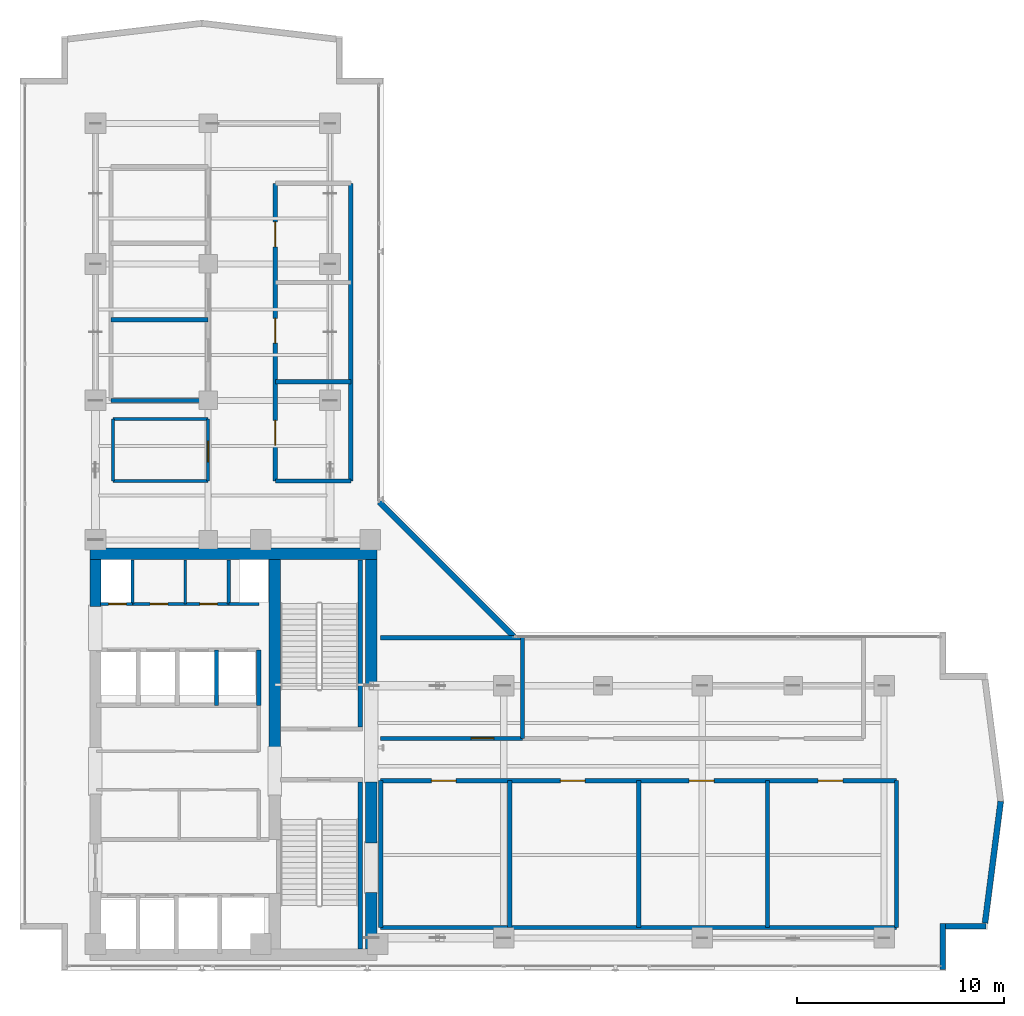
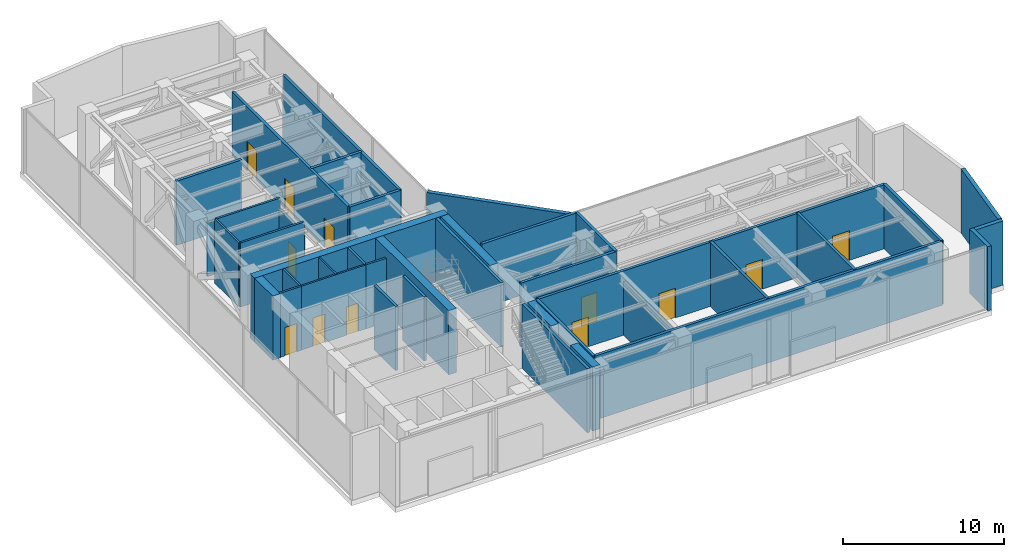
# One storey, part 27 of 31: 40 walls, 12 doors, 12 openings.
"""IFC4 building model written with IfcOpenShell, lengths in metres."""

from ifc_helpers import new_model, si_unit, direction, frame, frame_2d, origin, place, context, subcontext, project, spatial, rectangle, extrude, material, layer, layer_set, type_object, element, fill, save


model = new_model("IFC4")

# Units and contexts
model_context = context("Model", 3, precision=1e-05, world=origin(), true_north=direction((0.0, 1.0)))
body_context = subcontext(model_context, "Body", "Model", "MODEL_VIEW")
ifc_project = project(units=[si_unit("LENGTHUNIT", "METRE"), si_unit("AREAUNIT", "SQUARE_METRE"), si_unit("VOLUMEUNIT", "CUBIC_METRE"), si_unit("PLANEANGLEUNIT", "RADIAN"), si_unit("MASSUNIT", "GRAM", prefix="KILO")], contexts=[model_context])

# Site, building, storey
site_placement = place(None, origin())
site = spatial("IfcSite", under=ifc_project, at=site_placement, CompositionType="ELEMENT")
building_placement = place(site_placement, origin())
building = spatial("IfcBuilding", under=site, at=building_placement, Name="Kolvaren Waterfront Exchange", CompositionType="ELEMENT")
storey_placement = place(building_placement, frame((0.0, 0.0, 257.699951171875)))
storey = spatial("IfcBuildingStorey", under=building, at=storey_placement, Name="L66", CompositionType="ELEMENT", Elevation=257.699951171875)

# Walls
ifc_material_1 = material(Name="Precast concrete C40/50", Category="concrete")
ifc_layer_1 = layer(ifc_material_1, 0.280029296875, Name="Precast concrete C40/50")
ifc_layer_set_1 = layer_set([ifc_layer_1], Name="Precast concrete C40/50")
wall_type_1 = type_object("IfcWallType", Name="ARC-EXT-TERR-280", PredefinedType="SOLIDWALL", material=ifc_layer_set_1)
wall_1_placement = place(storey_placement, frame((48.43994140625, 3.659912109375, 0.0), z_axis=(0.0, 0.0, 1.0), x_axis=(0.0, 1.0, 0.0)))
element("IfcWall", 1, at=wall_1_placement, inside=storey, type_object=wall_type_1, Name="L66 notched corner spandrel pier SE-A", PredefinedType="SOLIDWALL", context=body_context, shape_type="SweptSolid", body=[
    extrude(rectangle(XDim=2.239990234375, YDim=0.280029296875, at=frame_2d((1.1201171875, 0.0))), origin(), (0.0, 0.0, 1.0), 4.860107421875),
])
wall_2_placement = place(storey_placement, frame((48.580078125, 5.760009765625, 0.0), z_axis=(0.0, 0.0, 1.0), x_axis=(1.0, 0.0, 0.0)))
element("IfcWall", 2, at=wall_2_placement, inside=storey, type_object=wall_type_1, Name="L66 notched corner spandrel pier SE-B", PredefinedType="SOLIDWALL", context=body_context, shape_type="SweptSolid", body=[
    extrude(rectangle(XDim=1.9599609375, YDim=0.280029296875, at=frame_2d((0.97998046875, 0.0))), origin(), (0.0, 0.0, 1.0), 4.860107421875),
])
wall_3_placement = place(storey_placement, frame((27.68505859375, 19.77490234375, 0.0), z_axis=(0.0, 0.0, 1.0), x_axis=(-0.707106781187, 0.707106781187, 0.0)))
element("IfcWall", 3, at=wall_3_placement, inside=storey, type_object=wall_type_1, Name="L66 notched corner spandrel pier ELBOW", PredefinedType="SOLIDWALL", context=body_context, shape_type="SweptSolid", body=[
    extrude(rectangle(XDim=9.20654296875, YDim=0.280029296875, at=frame_2d((4.603271484375, 0.0))), origin(), (0.0, 0.0, 1.0), 4.860107421875),
])
wall_4_placement = place(storey_placement, frame((50.479736328125, 5.91796875, 0.0), z_axis=(0.0, 0.0, 1.0), x_axis=(0.127970031595, 0.991778035154, 0.0)))
element("IfcWall", 4, at=wall_4_placement, inside=storey, type_object=wall_type_1, Name="L66 east prow faceted facade wall 1", PredefinedType="SOLIDWALL", context=body_context, shape_type="SweptSolid", body=[
    extrude(rectangle(XDim=5.931396484375, YDim=0.280029296875, at=frame_2d((2.9658203125, 0.0))), origin(), (0.0, 0.0, 1.0), 4.860107421875),
])
ifc_layer_2 = layer(ifc_material_1, 0.199951171875, Name="Precast concrete C40/50")
ifc_layer_set_2 = layer_set([ifc_layer_2], Name="Precast concrete C40/50")
wall_type_2 = type_object("IfcWallType", Name="ARC-FIRE-200", PredefinedType="PARTITIONING", material=ifc_layer_set_2)
wall_5_placement = place(storey_placement, frame((28.10009765625, 14.85009765625, 0.0), z_axis=(0.0, 0.0, 1.0), x_axis=(0.0, 1.0, 0.0)))
element("IfcWall", 5, at=wall_5_placement, inside=storey, type_object=wall_type_2, Name="L66 interior wall PW-L66-REF-W", PredefinedType="PARTITIONING", context=body_context, shape_type="SweptSolid", body=[
    extrude(rectangle(XDim=4.869873046875, YDim=0.199951171875, at=frame_2d((2.43505859375, 0.0))), origin(), (0.0, 0.0, 1.0), 4.860107421875),
])

# Wall, opening, door
wall_6_placement = place(storey_placement, frame((21.25, 14.85009765625, 0.0), z_axis=(0.0, 0.0, 1.0), x_axis=(1.0, 0.0, 0.0)))
wall_6 = element("IfcWall", 6, at=wall_6_placement, inside=storey, type_object=wall_type_2, Name="L66 interior wall PW-L66-OAPL-S", PredefinedType="PARTITIONING", context=body_context, shape_type="SweptSolid", body=[
    extrude(rectangle(XDim=6.85009765625, YDim=0.199951171875, at=frame_2d((3.425048828125, 0.0))), origin(), (0.0, 0.0, 1.0), 4.860107421875),
])
opening_1_placement = place(wall_6_placement, frame((4.372314453125, 0.0, 0.0)))
opening_1 = element("IfcOpeningElement", 7, at=opening_1_placement, cuts=wall_6, Name="Opening FD2", PredefinedType="OPENING", context=body_context, shape_type="SweptSolid", body=[
    extrude(rectangle(XDim=1.10009765625, YDim=2.199951171875, at=frame_2d((0.550048828125, 1.10009765625))), frame((0.0, 0.10986328125, 0.0), z_axis=(0.0, -1.0, 0.0), x_axis=(1.0, 0.0, 0.0)), (0.0, 0.0, 1.0), 0.219970703125),
])
ifc_material_2 = material(Name="Pressed steel smoke-seal fire door", Category="steel")
door_type_1 = type_object("IfcDoorType", Name="ARC-FD-1100", OperationType="NOTDEFINED", PredefinedType="DOOR", material=ifc_material_2)
door_1_placement = place(opening_1_placement, origin())
door_1 = element("IfcDoor", 8, at=door_1_placement, inside=storey, type_object=door_type_1, Name="L66 door DR-L66-OAPL1-D (FD2)", OperationType="SINGLE_SWING_LEFT", OverallHeight=2.199951171875, OverallWidth=1.10009765625, PredefinedType="DOOR", context=body_context, shape_type="SweptSolid", body=[
    extrude(rectangle(XDim=1.10009765625, YDim=2.199951171875, at=frame_2d((0.550048828125, 1.10009765625))), frame((0.0, 0.02490234375, 0.0), z_axis=(0.0, -1.0, 0.0), x_axis=(1.0, 0.0, 0.0)), (0.0, 0.0, 1.0), 0.050048828125),
])
fill(opening_1, door_1)

# Wall
wall_7_placement = place(storey_placement, frame((21.25, 19.719970703125, 0.0), z_axis=(0.0, 0.0, 1.0), x_axis=(1.0, 0.0, 0.0)))
element("IfcWall", 9, at=wall_7_placement, inside=storey, type_object=wall_type_2, Name="L66 interior wall PW-L66-OAPL-N", PredefinedType="PARTITIONING", context=body_context, shape_type="SweptSolid", body=[
    extrude(rectangle(XDim=6.85009765625, YDim=0.199951171875, at=frame_2d((3.425048828125, 0.0))), origin(), (0.0, 0.0, 1.0), 4.860107421875),
])

# Wall, openings, doors
wall_8_placement = place(storey_placement, frame((21.25, 12.800048828125, 0.0), z_axis=(0.0, 0.0, 1.0), x_axis=(1.0, 0.0, 0.0)))
wall_8 = element("IfcWall", 10, at=wall_8_placement, inside=storey, type_object=wall_type_2, Name="L66 interior wall PW-L66-PL-N1", PredefinedType="PARTITIONING", context=body_context, shape_type="SweptSolid", body=[
    extrude(rectangle(XDim=24.949951171875, YDim=0.199951171875, at=frame_2d((12.47509765625, 0.0))), origin(), (0.0, 0.0, 1.0), 4.860107421875),
])
opening_2_placement = place(wall_8_placement, frame((2.448486328125, 0.0, 0.0)))
opening_2 = element("IfcOpeningElement", 11, at=opening_2_placement, cuts=wall_8, Name="Opening FD3", PredefinedType="OPENING", context=body_context, shape_type="SweptSolid", body=[
    extrude(rectangle(XDim=1.199951171875, YDim=2.25, at=frame_2d((0.60009765625, 1.125))), frame((0.0, 0.10986328125, 0.0), z_axis=(0.0, -1.0, 0.0), x_axis=(1.0, 0.0, 0.0)), (0.0, 0.0, 1.0), 0.219970703125),
])
opening_3_placement = place(wall_8_placement, frame((8.688720703125, 0.0, 0.0)))
opening_3 = element("IfcOpeningElement", 12, at=opening_3_placement, cuts=wall_8, Name="Opening FD3", PredefinedType="OPENING", context=body_context, shape_type="SweptSolid", body=[
    extrude(rectangle(XDim=1.199951171875, YDim=2.25, at=frame_2d((0.60009765625, 1.125))), frame((0.0, 0.10986328125, 0.0), z_axis=(0.0, -1.0, 0.0), x_axis=(1.0, 0.0, 0.0)), (0.0, 0.0, 1.0), 0.219970703125),
])
opening_4_placement = place(wall_8_placement, frame((14.923828125, 0.0, 0.0)))
opening_4 = element("IfcOpeningElement", 13, at=opening_4_placement, cuts=wall_8, Name="Opening FD3", PredefinedType="OPENING", context=body_context, shape_type="SweptSolid", body=[
    extrude(rectangle(XDim=1.199951171875, YDim=2.25, at=frame_2d((0.60009765625, 1.125))), frame((0.0, 0.10986328125, 0.0), z_axis=(0.0, -1.0, 0.0), x_axis=(1.0, 0.0, 0.0)), (0.0, 0.0, 1.0), 0.219970703125),
])
opening_5_placement = place(wall_8_placement, frame((21.15869140625, 0.0, 0.0)))
opening_5 = element("IfcOpeningElement", 14, at=opening_5_placement, cuts=wall_8, Name="Opening FD3", PredefinedType="OPENING", context=body_context, shape_type="SweptSolid", body=[
    extrude(rectangle(XDim=1.199951171875, YDim=2.25, at=frame_2d((0.60009765625, 1.125))), frame((0.0, 0.10986328125, 0.0), z_axis=(0.0, -1.0, 0.0), x_axis=(1.0, 0.0, 0.0)), (0.0, 0.0, 1.0), 0.219970703125),
])
ifc_material_3 = material(Name="Pressed steel fire door", Category="steel")
door_type_2 = type_object("IfcDoorType", Name="ARC-FD-1200", OperationType="NOTDEFINED", PredefinedType="DOOR", material=ifc_material_3)
door_2_placement = place(opening_2_placement, origin())
door_2 = element("IfcDoor", 15, at=door_2_placement, inside=storey, type_object=door_type_2, Name="L66 door DR-L66-PLES-D1 (FD3)", OperationType="SINGLE_SWING_LEFT", OverallHeight=2.25, OverallWidth=1.199951171875, PredefinedType="DOOR", context=body_context, shape_type="SweptSolid", body=[
    extrude(rectangle(XDim=1.199951171875, YDim=2.25, at=frame_2d((0.60009765625, 1.125))), frame((0.0, 0.02490234375, 0.0), z_axis=(0.0, -1.0, 0.0), x_axis=(1.0, 0.0, 0.0)), (0.0, 0.0, 1.0), 0.050048828125),
])
fill(opening_2, door_2)
door_3_placement = place(opening_3_placement, origin())
door_3 = element("IfcDoor", 16, at=door_3_placement, inside=storey, type_object=door_type_2, Name="L66 door DR-L66-PLES-D2 (FD3)", OperationType="SINGLE_SWING_RIGHT", OverallHeight=2.25, OverallWidth=1.199951171875, PredefinedType="DOOR", context=body_context, shape_type="SweptSolid", body=[
    extrude(rectangle(XDim=1.199951171875, YDim=2.25, at=frame_2d((0.60009765625, 1.125))), frame((0.0, 0.02490234375, 0.0), z_axis=(0.0, -1.0, 0.0), x_axis=(1.0, 0.0, 0.0)), (0.0, 0.0, 1.0), 0.050048828125),
])
fill(opening_3, door_3)
door_4_placement = place(opening_4_placement, origin())
door_4 = element("IfcDoor", 17, at=door_4_placement, inside=storey, type_object=door_type_2, Name="L66 door DR-L66-PLES-D3 (FD3)", OperationType="SINGLE_SWING_LEFT", OverallHeight=2.25, OverallWidth=1.199951171875, PredefinedType="DOOR", context=body_context, shape_type="SweptSolid", body=[
    extrude(rectangle(XDim=1.199951171875, YDim=2.25, at=frame_2d((0.60009765625, 1.125))), frame((0.0, 0.02490234375, 0.0), z_axis=(0.0, -1.0, 0.0), x_axis=(1.0, 0.0, 0.0)), (0.0, 0.0, 1.0), 0.050048828125),
])
fill(opening_4, door_4)
door_5_placement = place(opening_5_placement, origin())
door_5 = element("IfcDoor", 18, at=door_5_placement, inside=storey, type_object=door_type_2, Name="L66 door DR-L66-PLES-D4 (FD3)", OperationType="SINGLE_SWING_RIGHT", OverallHeight=2.25, OverallWidth=1.199951171875, PredefinedType="DOOR", context=body_context, shape_type="SweptSolid", body=[
    extrude(rectangle(XDim=1.199951171875, YDim=2.25, at=frame_2d((0.60009765625, 1.125))), frame((0.0, 0.02490234375, 0.0), z_axis=(0.0, -1.0, 0.0), x_axis=(1.0, 0.0, 0.0)), (0.0, 0.0, 1.0), 0.050048828125),
])
fill(opening_5, door_5)

# Walls
for number, where, z_axis, x_axis, name in (
    (19, (21.25, 5.699951171875, 0.0), (0.0, 0.0, 1.0), (0.0, 1.0, 0.0), "L66 interior wall PW-L66-PL-W1"),
    (20, (46.199951171875, 5.699951171875, 0.0), (0.0, 0.0, 1.0), (0.0, 1.0, 0.0), "L66 interior wall PW-L66-PL-E1"),
):
    element("IfcWall", number, at=place(storey_placement, frame(where, z_axis=z_axis, x_axis=x_axis)), inside=storey, type_object=wall_type_2, Name=name, PredefinedType="PARTITIONING", context=body_context, shape_type="SweptSolid", body=[
        extrude(rectangle(XDim=7.10009765625, YDim=0.199951171875, at=frame_2d((3.550048828125, 0.0))), origin(), (0.0, 0.0, 1.0), 4.860107421875),
    ])
wall_9_placement = place(storey_placement, frame((21.25, 5.699951171875, 0.0), z_axis=(0.0, 0.0, 1.0), x_axis=(1.0, 0.0, 0.0)))
element("IfcWall", 21, at=wall_9_placement, inside=storey, type_object=wall_type_2, Name="L66 interior wall PW-L66-PL-S1", PredefinedType="PARTITIONING", context=body_context, shape_type="SweptSolid", body=[
    extrude(rectangle(XDim=24.949951171875, YDim=0.199951171875, at=frame_2d((12.47509765625, 0.0))), origin(), (0.0, 0.0, 1.0), 4.860107421875),
])
wall_10_placement = place(storey_placement, frame((27.489990234375, 5.699951171875, 0.0), z_axis=(0.0, 0.0, 1.0), x_axis=(0.0, 1.0, 0.0)))
element("IfcWall", 22, at=wall_10_placement, inside=storey, type_object=wall_type_2, Name="L66 interior wall PW-L66-PL-M1-1", PredefinedType="PARTITIONING", context=body_context, shape_type="SweptSolid", body=[
    extrude(rectangle(XDim=7.10009765625, YDim=0.199951171875, at=frame_2d((3.550048828125, 0.0))), origin(), (0.0, 0.0, 1.0), 4.06005859375),
])
for number, where, z_axis, x_axis, name in (
    (23, (33.72998046875, 5.699951171875, 0.0), (0.0, 0.0, 1.0), (0.0, 1.0, 0.0), "L66 interior wall PW-L66-PL-M1-2"),
    (24, (39.9599609375, 5.699951171875, 0.0), (0.0, 0.0, 1.0), (0.0, 1.0, 0.0), "L66 interior wall PW-L66-PL-M1-3"),
):
    element("IfcWall", number, at=place(storey_placement, frame(where, z_axis=z_axis, x_axis=x_axis)), inside=storey, type_object=wall_type_2, Name=name, PredefinedType="PARTITIONING", context=body_context, shape_type="SweptSolid", body=[
        extrude(rectangle(XDim=7.10009765625, YDim=0.199951171875, at=frame_2d((3.550048828125, 0.0))), origin(), (0.0, 0.0, 1.0), 4.860107421875),
    ])
wall_11_placement = place(storey_placement, frame((8.199951171875, 31.199951171875, 0.0), z_axis=(0.0, 0.0, 1.0), x_axis=(1.0, 0.0, 0.0)))
element("IfcWall", 25, at=wall_11_placement, inside=storey, type_object=wall_type_2, Name="L66 interior wall PW-L66-PL-S3", PredefinedType="PARTITIONING", context=body_context, shape_type="SweptSolid", body=[
    extrude(rectangle(XDim=4.699951171875, YDim=0.199951171875, at=frame_2d((2.35009765625, 0.0))), origin(), (0.0, 0.0, 1.0), 4.06005859375),
])
wall_12_placement = place(storey_placement, frame((8.199951171875, 35.10009765625, 0.0), z_axis=(0.0, 0.0, 1.0), x_axis=(1.0, 0.0, 0.0)))
element("IfcWall", 26, at=wall_12_placement, inside=storey, type_object=wall_type_2, Name="L66 interior wall PW-L66-PL-M3-1", PredefinedType="PARTITIONING", context=body_context, shape_type="SweptSolid", body=[
    extrude(rectangle(XDim=4.699951171875, YDim=0.199951171875, at=frame_2d((2.35009765625, 0.0))), origin(), (0.0, 0.0, 1.0), 4.860107421875),
])

# Wall, openings, doors
wall_13_placement = place(storey_placement, frame((16.14990234375, 27.300048828125, 0.0), z_axis=(0.0, 0.0, 1.0), x_axis=(0.0, 1.0, 0.0)))
wall_13 = element("IfcWall", 27, at=wall_13_placement, inside=storey, type_object=wall_type_2, Name="L66 interior wall PW-L66-PL-W4", PredefinedType="PARTITIONING", context=body_context, shape_type="SweptSolid", body=[
    extrude(rectangle(XDim=14.39990234375, YDim=0.199951171875, at=frame_2d((7.199951171875, 0.0))), origin(), (0.0, 0.0, 1.0), 4.860107421875),
])
opening_6_placement = place(wall_13_placement, frame((1.72900390625, 0.0, 0.0)))
opening_6 = element("IfcOpeningElement", 28, at=opening_6_placement, cuts=wall_13, Name="Opening FD3", PredefinedType="OPENING", context=body_context, shape_type="SweptSolid", body=[
    extrude(rectangle(XDim=1.199951171875, YDim=2.25, at=frame_2d((0.60009765625, 1.125))), frame((0.0, 0.10986328125, 0.0), z_axis=(0.0, -1.0, 0.0), x_axis=(1.0, 0.0, 0.0)), (0.0, 0.0, 1.0), 0.219970703125),
])
opening_7_placement = place(wall_13_placement, frame((6.671142578125, 0.0, 0.0)))
opening_7 = element("IfcOpeningElement", 29, at=opening_7_placement, cuts=wall_13, Name="Opening FD3", PredefinedType="OPENING", context=body_context, shape_type="SweptSolid", body=[
    extrude(rectangle(XDim=1.199951171875, YDim=2.25, at=frame_2d((0.60009765625, 1.125))), frame((0.0, 0.10986328125, 0.0), z_axis=(0.0, -1.0, 0.0), x_axis=(1.0, 0.0, 0.0)), (0.0, 0.0, 1.0), 0.219970703125),
])
opening_8_placement = place(wall_13_placement, frame((11.328857421875, 0.0, 0.0)))
opening_8 = element("IfcOpeningElement", 30, at=opening_8_placement, cuts=wall_13, Name="Opening FD3", PredefinedType="OPENING", context=body_context, shape_type="SweptSolid", body=[
    extrude(rectangle(XDim=1.199951171875, YDim=2.25, at=frame_2d((0.60009765625, 1.125))), frame((0.0, 0.10986328125, 0.0), z_axis=(0.0, -1.0, 0.0), x_axis=(1.0, 0.0, 0.0)), (0.0, 0.0, 1.0), 0.219970703125),
])
door_6_placement = place(opening_6_placement, origin())
door_6 = element("IfcDoor", 31, at=door_6_placement, inside=storey, type_object=door_type_2, Name="L66 door DR-L66-PLNER-D1 (FD3)", OperationType="SINGLE_SWING_RIGHT", OverallHeight=2.25, OverallWidth=1.199951171875, PredefinedType="DOOR", context=body_context, shape_type="SweptSolid", body=[
    extrude(rectangle(XDim=1.199951171875, YDim=2.25, at=frame_2d((0.60009765625, 1.125))), frame((0.0, 0.02490234375, 0.0), z_axis=(0.0, -1.0, 0.0), x_axis=(1.0, 0.0, 0.0)), (0.0, 0.0, 1.0), 0.050048828125),
])
fill(opening_6, door_6)
door_7_placement = place(opening_7_placement, origin())
door_7 = element("IfcDoor", 32, at=door_7_placement, inside=storey, type_object=door_type_2, Name="L66 door DR-L66-PLNER-D2 (FD3)", OperationType="SINGLE_SWING_LEFT", OverallHeight=2.25, OverallWidth=1.199951171875, PredefinedType="DOOR", context=body_context, shape_type="SweptSolid", body=[
    extrude(rectangle(XDim=1.199951171875, YDim=2.25, at=frame_2d((0.60009765625, 1.125))), frame((0.0, 0.02490234375, 0.0), z_axis=(0.0, -1.0, 0.0), x_axis=(1.0, 0.0, 0.0)), (0.0, 0.0, 1.0), 0.050048828125),
])
fill(opening_7, door_7)
door_8_placement = place(opening_8_placement, origin())
door_8 = element("IfcDoor", 33, at=door_8_placement, inside=storey, type_object=door_type_2, Name="L66 door DR-L66-PLNER-D3 (FD3)", OperationType="SINGLE_SWING_RIGHT", OverallHeight=2.25, OverallWidth=1.199951171875, PredefinedType="DOOR", context=body_context, shape_type="SweptSolid", body=[
    extrude(rectangle(XDim=1.199951171875, YDim=2.25, at=frame_2d((0.60009765625, 1.125))), frame((0.0, 0.02490234375, 0.0), z_axis=(0.0, -1.0, 0.0), x_axis=(1.0, 0.0, 0.0)), (0.0, 0.0, 1.0), 0.050048828125),
])
fill(opening_8, door_8)

# Walls
wall_14_placement = place(storey_placement, frame((19.800048828125, 27.300048828125, 0.0), z_axis=(0.0, 0.0, 1.0), x_axis=(0.0, 1.0, 0.0)))
element("IfcWall", 34, at=wall_14_placement, inside=storey, type_object=wall_type_2, Name="L66 interior wall PW-L66-PL-E4", PredefinedType="PARTITIONING", context=body_context, shape_type="SweptSolid", body=[
    extrude(rectangle(XDim=14.39990234375, YDim=0.199951171875, at=frame_2d((7.199951171875, 0.0))), origin(), (0.0, 0.0, 1.0), 4.860107421875),
])
for number, where, z_axis, x_axis, name in (
    (35, (16.14990234375, 27.300048828125, 0.0), (0.0, 0.0, 1.0), (1.0, 0.0, 0.0), "L66 interior wall PW-L66-PL-S4"),
    (36, (16.14990234375, 32.10009765625, 0.0), (0.0, 0.0, 1.0), (1.0, 0.0, 0.0), "L66 interior wall PW-L66-PL-M4-1"),
):
    element("IfcWall", number, at=place(storey_placement, frame(where, z_axis=z_axis, x_axis=x_axis)), inside=storey, type_object=wall_type_2, Name=name, PredefinedType="PARTITIONING", context=body_context, shape_type="SweptSolid", body=[
        extrude(rectangle(XDim=3.650146484375, YDim=0.199951171875, at=frame_2d((1.8251953125, 0.0))), origin(), (0.0, 0.0, 1.0), 4.860107421875),
    ])

# Wall, openings, doors
ifc_material_4 = material(Name="Acoustic gypsum steel stud", Category="steel")
ifc_layer_3 = layer(ifc_material_4, 0.125, Name="Acoustic gypsum steel stud")
ifc_layer_set_3 = layer_set([ifc_layer_3], Name="Acoustic gypsum steel stud")
wall_type_3 = type_object("IfcWallType", Name="ARC-PART-125", PredefinedType="PARTITIONING", material=ifc_layer_set_3)
wall_15_placement = place(storey_placement, frame((9.25, 21.35009765625, 0.0), z_axis=(0.0, 0.0, 1.0), x_axis=(1.0, 0.0, 0.0)))
wall_15 = element("IfcWall", 37, at=wall_15_placement, inside=storey, type_object=wall_type_3, Name="L66 interior wall PW-L66-SVC-HI-S", PredefinedType="PARTITIONING", context=body_context, shape_type="SweptSolid", body=[
    extrude(rectangle(XDim=4.64990234375, YDim=0.125, at=frame_2d((2.324951171875, 0.0))), origin(), (0.0, 0.0, 1.0), 4.860107421875),
])
opening_9_placement = place(wall_15_placement, frame((0.85009765625, 0.0, 0.0)))
opening_9 = element("IfcOpeningElement", 38, at=opening_9_placement, cuts=wall_15, Name="Opening D01", PredefinedType="OPENING", context=body_context, shape_type="SweptSolid", body=[
    extrude(rectangle(XDim=0.85009765625, YDim=2.14990234375, at=frame_2d((0.425048828125, 1.074951171875))), frame((0.0, 0.072509765625, 0.0), z_axis=(0.0, -1.0, 0.0), x_axis=(1.0, 0.0, 0.0)), (0.0, 0.0, 1.0), 0.14501953125),
])
opening_10_placement = place(wall_15_placement, frame((3.25, 0.0, 0.0)))
opening_10 = element("IfcOpeningElement", 39, at=opening_10_placement, cuts=wall_15, Name="Opening D01", PredefinedType="OPENING", context=body_context, shape_type="SweptSolid", body=[
    extrude(rectangle(XDim=0.85009765625, YDim=2.14990234375, at=frame_2d((0.425048828125, 1.074951171875))), frame((0.0, 0.072509765625, 0.0), z_axis=(0.0, -1.0, 0.0), x_axis=(1.0, 0.0, 0.0)), (0.0, 0.0, 1.0), 0.14501953125),
])
ifc_material_5 = material(Name="Oak veneer timber leaf", Category="wood")
door_type_3 = type_object("IfcDoorType", Name="ARC-DR-900", OperationType="NOTDEFINED", PredefinedType="DOOR", material=ifc_material_5)
door_9_placement = place(opening_9_placement, origin())
door_9 = element("IfcDoor", 40, at=door_9_placement, inside=storey, type_object=door_type_3, Name="L66 door DR-L66-SVC-DR-1 (D01)", OperationType="SINGLE_SWING_LEFT", OverallHeight=2.14990234375, OverallWidth=0.85009765625, PredefinedType="DOOR", context=body_context, shape_type="SweptSolid", body=[
    extrude(rectangle(XDim=0.85009765625, YDim=2.14990234375, at=frame_2d((0.425048828125, 1.074951171875))), frame((0.0, 0.02490234375, 0.0), z_axis=(0.0, -1.0, 0.0), x_axis=(1.0, 0.0, 0.0)), (0.0, 0.0, 1.0), 0.050048828125),
])
fill(opening_9, door_9)
door_10_placement = place(opening_10_placement, origin())
door_10 = element("IfcDoor", 41, at=door_10_placement, inside=storey, type_object=door_type_3, Name="L66 door DR-L66-SVC-DR-2 (D01)", OperationType="SINGLE_SWING_RIGHT", OverallHeight=2.14990234375, OverallWidth=0.85009765625, PredefinedType="DOOR", context=body_context, shape_type="SweptSolid", body=[
    extrude(rectangle(XDim=0.85009765625, YDim=2.14990234375, at=frame_2d((0.425048828125, 1.074951171875))), frame((0.0, 0.02490234375, 0.0), z_axis=(0.0, -1.0, 0.0), x_axis=(1.0, 0.0, 0.0)), (0.0, 0.0, 1.0), 0.050048828125),
])
fill(opening_10, door_10)

# Walls
wall_16_placement = place(storey_placement, frame((11.800048828125, 21.35009765625, 0.0), z_axis=(0.0, 0.0, 1.0), x_axis=(0.0, 1.0, 0.0)))
element("IfcWall", 42, at=wall_16_placement, inside=storey, type_object=wall_type_3, Name="L66 interior wall PW-L66-SVC-HI-M", PredefinedType="PARTITIONING", context=body_context, shape_type="SweptSolid", body=[
    extrude(rectangle(XDim=2.1298828125, YDim=0.125, at=frame_2d((1.06494140625, 0.0))), origin(), (0.0, 0.0, 1.0), 4.860107421875),
])
ifc_material_6 = material(Name="Gypsum fireboard steel stud", Category="steel")
ifc_layer_4 = layer(ifc_material_6, 0.14990234375, Name="Gypsum fireboard steel stud")
ifc_layer_set_4 = layer_set([ifc_layer_4], Name="Gypsum fireboard steel stud")
wall_type_4 = type_object("IfcWallType", Name="ARC-PART-150", PredefinedType="PARTITIONING", material=ifc_layer_set_4)
for number, where, z_axis, x_axis, name in (
    (43, (9.25, 21.35009765625, 0.0), (0.0, 0.0, 1.0), (0.0, 1.0, 0.0), "L66 interior wall PW-L66-SVC-R1"),
    (44, (13.89990234375, 21.35009765625, 0.0), (0.0, 0.0, 1.0), (0.0, 1.0, 0.0), "L66 interior wall PW-L66-SVC-R2"),
):
    element("IfcWall", number, at=place(storey_placement, frame(where, z_axis=z_axis, x_axis=x_axis)), inside=storey, type_object=wall_type_4, Name=name, PredefinedType="PARTITIONING", context=body_context, shape_type="SweptSolid", body=[
        extrude(rectangle(XDim=2.1298828125, YDim=0.14990234375, at=frame_2d((1.06494140625, 0.0))), origin(), (0.0, 0.0, 1.0), 4.860107421875),
    ])

# Wall, opening, door
wall_17_placement = place(storey_placement, frame((7.699951171875, 21.35009765625, 0.0), z_axis=(0.0, 0.0, 1.0), x_axis=(1.0, 0.0, 0.0)))
wall_17 = element("IfcWall", 45, at=wall_17_placement, inside=storey, type_object=wall_type_4, Name="L66 interior wall PW-L66-SVC-RE-S", PredefinedType="PARTITIONING", context=body_context, shape_type="SweptSolid", body=[
    extrude(rectangle(XDim=1.550048828125, YDim=0.14990234375, at=frame_2d((0.77490234375, 0.0))), origin(), (0.0, 0.0, 1.0), 4.860107421875),
])
opening_11_placement = place(wall_17_placement, frame((0.389892578125, 0.0, 0.0)))
opening_11 = element("IfcOpeningElement", 46, at=opening_11_placement, cuts=wall_17, Name="Opening FD1", PredefinedType="OPENING", context=body_context, shape_type="SweptSolid", body=[
    extrude(rectangle(XDim=0.85009765625, YDim=2.14990234375, at=frame_2d((0.425048828125, 1.074951171875))), frame((0.0, 0.0849609375, 0.0), z_axis=(0.0, -1.0, 0.0), x_axis=(1.0, 0.0, 0.0)), (0.0, 0.0, 1.0), 0.169921875),
])
ifc_material_7 = material(Name="Pressed steel fire leaf", Category="steel")
door_type_4 = type_object("IfcDoorType", Name="ARC-FD-900", OperationType="NOTDEFINED", PredefinedType="DOOR", material=ifc_material_7)
door_11_placement = place(opening_11_placement, origin())
door_11 = element("IfcDoor", 47, at=door_11_placement, inside=storey, type_object=door_type_4, Name="L66 door DR-L66-RISER-E-DR (FD1)", OperationType="SINGLE_SWING_RIGHT", OverallHeight=2.14990234375, OverallWidth=0.85009765625, PredefinedType="DOOR", context=body_context, shape_type="SweptSolid", body=[
    extrude(rectangle(XDim=0.85009765625, YDim=2.14990234375, at=frame_2d((0.425048828125, 1.074951171875))), frame((0.0, 0.02490234375, 0.0), z_axis=(0.0, -1.0, 0.0), x_axis=(1.0, 0.0, 0.0)), (0.0, 0.0, 1.0), 0.050048828125),
])
fill(opening_11, door_11)

# Walls
wall_18_placement = place(storey_placement, frame((13.89990234375, 21.35009765625, 0.0), z_axis=(0.0, 0.0, 1.0), x_axis=(1.0, 0.0, 0.0)))
element("IfcWall", 48, at=wall_18_placement, inside=storey, type_object=wall_type_4, Name="L66 interior wall PW-L66-SVC-RP-S", PredefinedType="PARTITIONING", context=body_context, shape_type="SweptSolid", body=[
    extrude(rectangle(XDim=1.4501953125, YDim=0.14990234375, at=frame_2d((0.72509765625, 0.0))), origin(), (0.0, 0.0, 1.0), 4.860107421875),
])
ifc_material_8 = material(Name="Moisture-resistant gypsum stud")
ifc_layer_5 = layer(ifc_material_8, 0.14990234375, Name="Moisture-resistant gypsum stud")
ifc_layer_set_5 = layer_set([ifc_layer_5], Name="Moisture-resistant gypsum stud")
wall_type_5 = type_object("IfcWallType", Name="ARC-PLUMB-150", PredefinedType="PLUMBINGWALL", material=ifc_layer_set_5)
wall_19_placement = place(storey_placement, frame((8.300048828125, 27.300048828125, 0.0), z_axis=(0.0, 0.0, 1.0), x_axis=(1.0, 0.0, 0.0)))
element("IfcWall", 49, at=wall_19_placement, inside=storey, type_object=wall_type_5, Name="L66 interior wall PW-L66-REF-WC-S", PredefinedType="PLUMBINGWALL", context=body_context, shape_type="SweptSolid", body=[
    extrude(rectangle(XDim=4.599853515625, YDim=0.14990234375, at=frame_2d((2.2998046875, 0.0))), origin(), (0.0, 0.0, 1.0), 4.860107421875),
])
wall_20_placement = place(storey_placement, frame((8.300048828125, 27.300048828125, 0.0), z_axis=(0.0, 0.0, 1.0), x_axis=(0.0, 1.0, 0.0)))
element("IfcWall", 50, at=wall_20_placement, inside=storey, type_object=wall_type_5, Name="L66 interior wall PW-L66-REF-WC-W", PredefinedType="PLUMBINGWALL", context=body_context, shape_type="SweptSolid", body=[
    extrude(rectangle(XDim=3.0, YDim=0.14990234375, at=frame_2d((1.5, 0.0))), origin(), (0.0, 0.0, 1.0), 4.860107421875),
])

# Wall, opening, door
wall_21_placement = place(storey_placement, frame((12.89990234375, 27.300048828125, 0.0), z_axis=(0.0, 0.0, 1.0), x_axis=(0.0, 1.0, 0.0)))
wall_21 = element("IfcWall", 51, at=wall_21_placement, inside=storey, type_object=wall_type_5, Name="L66 interior wall PW-L66-REF-WC-E", PredefinedType="PLUMBINGWALL", context=body_context, shape_type="SweptSolid", body=[
    extrude(rectangle(XDim=3.0, YDim=0.14990234375, at=frame_2d((1.5, 0.0))), origin(), (0.0, 0.0, 1.0), 4.06005859375),
])
opening_12_placement = place(wall_21_placement, frame((0.929931640625, 0.0, 0.0)))
opening_12 = element("IfcOpeningElement", 52, at=opening_12_placement, cuts=wall_21, Name="Opening D03", PredefinedType="OPENING", context=body_context, shape_type="SweptSolid", body=[
    extrude(rectangle(XDim=1.0, YDim=2.199951171875, at=frame_2d((0.5, 1.10009765625))), frame((0.0, 0.0849609375, 0.0), z_axis=(0.0, -1.0, 0.0), x_axis=(1.0, 0.0, 0.0)), (0.0, 0.0, 1.0), 0.169921875),
])
ifc_material_9 = material(Name="Oak veneer accessible timber", Category="wood")
door_type_5 = type_object("IfcDoorType", Name="ARC-DR-1000", OperationType="NOTDEFINED", PredefinedType="DOOR", material=ifc_material_9)
door_12_placement = place(opening_12_placement, origin())
door_12 = element("IfcDoor", 53, at=door_12_placement, inside=storey, type_object=door_type_5, Name="L66 door DR-L66-REF-WCD (D03)", OperationType="SINGLE_SWING_RIGHT", OverallHeight=2.199951171875, OverallWidth=1.0, PredefinedType="DOOR", context=body_context, shape_type="SweptSolid", body=[
    extrude(rectangle(XDim=1.0, YDim=2.199951171875, at=frame_2d((0.5, 1.10009765625))), frame((0.0, 0.02490234375, 0.0), z_axis=(0.0, -1.0, 0.0), x_axis=(1.0, 0.0, 0.0)), (0.0, 0.0, 1.0), 0.050048828125),
])
fill(opening_12, door_12)

# Walls
wall_22_placement = place(storey_placement, frame((8.300048828125, 30.300048828125, 0.0), z_axis=(0.0, 0.0, 1.0), x_axis=(1.0, 0.0, 0.0)))
element("IfcWall", 54, at=wall_22_placement, inside=storey, type_object=wall_type_5, Name="L66 interior wall PW-L66-REF-WC-N", PredefinedType="PLUMBINGWALL", context=body_context, shape_type="SweptSolid", body=[
    extrude(rectangle(XDim=4.599853515625, YDim=0.14990234375, at=frame_2d((2.2998046875, 0.0))), origin(), (0.0, 0.0, 1.0), 4.860107421875),
])
ifc_material_10 = material(Name="Concrete C40/50", Category="concrete")
ifc_layer_6 = layer(ifc_material_10, 0.199951171875, Name="Concrete C40/50")
ifc_layer_set_6 = layer_set([ifc_layer_6], Name="Concrete C40/50")
wall_type_6 = type_object("IfcWallType", Name="ARC-SHAFT-200", PredefinedType="PARTITIONING", material=ifc_layer_set_6)
for number, where, z_axis, x_axis, name in (
    (55, (20.260009765625, 4.659912109375, 0.0), (0.0, 0.0, 1.0), (0.0, 1.0, 0.0), "L66 structural stairwell wall PW-L66-ST1-E"),
    (56, (20.260009765625, 15.39990234375, 0.0), (0.0, 0.0, 1.0), (0.0, 1.0, 0.0), "L66 structural stairwell wall PW-L66-ST2-E"),
):
    element("IfcWall", number, at=place(storey_placement, frame(where, z_axis=z_axis, x_axis=x_axis)), inside=storey, type_object=wall_type_6, Name=name, PredefinedType="SHEAR", context=body_context, shape_type="SweptSolid", body=[
        extrude(rectangle(XDim=8.090087890625, YDim=0.199951171875, at=frame_2d((4.044921875, 0.0))), origin(), (0.0, 0.0, 1.0), 4.860107421875),
    ])
for number, where, z_axis, x_axis, name in (
    (57, (15.35009765625, 16.449951171875, 0.0), (0.0, 0.0, 1.0), (0.0, 1.0, 0.0), "L66 interior wall PW-L66-PH-E"),
    (58, (13.300048828125, 16.449951171875, 0.0), (0.0, 0.0, 1.0), (0.0, 1.0, 0.0), "L66 interior wall PW-L66-SH4-DIV-133"),
):
    element("IfcWall", number, at=place(storey_placement, frame(where, z_axis=z_axis, x_axis=x_axis)), inside=storey, type_object=wall_type_6, Name=name, PredefinedType="PARTITIONING", context=body_context, shape_type="SweptSolid", body=[
        extrude(rectangle(XDim=2.670166015625, YDim=0.199951171875, at=frame_2d((1.3349609375, 0.0))), origin(), (0.0, 0.0, 1.0), 4.860107421875),
    ])
ifc_material_11 = material(Name="Concrete C50/60", Category="concrete")
ifc_layer_7 = layer(ifc_material_11, 0.550048828125, Name="Concrete C50/60")
ifc_layer_set_7 = layer_set([ifc_layer_7], Name="Concrete C50/60")
wall_type_7 = type_object("IfcWallType", Name="STR-CWALL-550", PredefinedType="SHEAR", material=ifc_layer_set_7)
wall_23_placement = place(storey_placement, frame((7.175048828125, 23.77490234375, 0.0), z_axis=(0.0, 0.0, 1.0), x_axis=(1.0, 0.0, 0.0)))
element("IfcWall", 59, at=wall_23_placement, inside=storey, type_object=wall_type_7, Name="L66 rear-core shear wall N", PredefinedType="SHEAR", context=body_context, shape_type="SweptSolid", body=[
    extrude(rectangle(XDim=13.89990234375, YDim=0.550048828125, at=frame_2d((6.949951171875, 0.0))), origin(), (0.0, 0.0, 1.0), 4.860107421875),
])
wall_24_placement = place(storey_placement, frame((7.449951171875, 21.239990234375, 0.0), z_axis=(0.0, 0.0, 1.0), x_axis=(0.0, 1.0, 0.0)))
element("IfcWall", 60, at=wall_24_placement, inside=storey, type_object=wall_type_7, Name="L66 rear-core shear wall W3", PredefinedType="SHEAR", context=body_context, shape_type="SweptSolid", body=[
    extrude(rectangle(XDim=2.260009765625, YDim=0.550048828125, at=frame_2d((1.1298828125, 0.0))), origin(), (0.0, 0.0, 1.0), 4.860107421875),
])
wall_25_placement = place(storey_placement, frame((20.800048828125, 4.64990234375, 0.0), z_axis=(0.0, 0.0, 1.0), x_axis=(0.0, 1.0, 0.0)))
element("IfcWall", 61, at=wall_25_placement, inside=storey, type_object=wall_type_7, Name="L66 rear-core shear wall E1", PredefinedType="SHEAR", context=body_context, shape_type="SweptSolid", body=[
    extrude(rectangle(XDim=2.75, YDim=0.550048828125, at=frame_2d((1.375, 0.0))), origin(), (0.0, 0.0, 1.0), 4.860107421875),
])
wall_26_placement = place(storey_placement, frame((20.800048828125, 9.800048828125, 0.0), z_axis=(0.0, 0.0, 1.0), x_axis=(0.0, 1.0, 0.0)))
element("IfcWall", 62, at=wall_26_placement, inside=storey, type_object=wall_type_7, Name="L66 rear-core shear wall E2", PredefinedType="SHEAR", context=body_context, shape_type="SweptSolid", body=[
    extrude(rectangle(XDim=2.949951171875, YDim=0.550048828125, at=frame_2d((1.47509765625, 0.0))), origin(), (0.0, 0.0, 1.0), 4.860107421875),
])
wall_27_placement = place(storey_placement, frame((20.800048828125, 17.35009765625, 0.0), z_axis=(0.0, 0.0, 1.0), x_axis=(0.0, 1.0, 0.0)))
element("IfcWall", 63, at=wall_27_placement, inside=storey, type_object=wall_type_7, Name="L66 rear-core shear wall E3", PredefinedType="SHEAR", context=body_context, shape_type="SweptSolid", body=[
    extrude(rectangle(XDim=6.14990234375, YDim=0.550048828125, at=frame_2d((3.074951171875, 0.0))), origin(), (0.0, 0.0, 1.0), 4.860107421875),
])
wall_28_placement = place(storey_placement, frame((16.125, 14.39990234375, 0.0), z_axis=(0.0, 0.0, 1.0), x_axis=(0.0, 1.0, 0.0)))
element("IfcWall", 64, at=wall_28_placement, inside=storey, type_object=wall_type_7, Name="L66 rear-core shear wall M3", PredefinedType="SHEAR", context=body_context, shape_type="SweptSolid", body=[
    extrude(rectangle(XDim=9.10009765625, YDim=0.550048828125, at=frame_2d((4.550048828125, 0.0))), origin(), (0.0, 0.0, 1.0), 4.860107421875),
])

save(model, "model.ifc")
